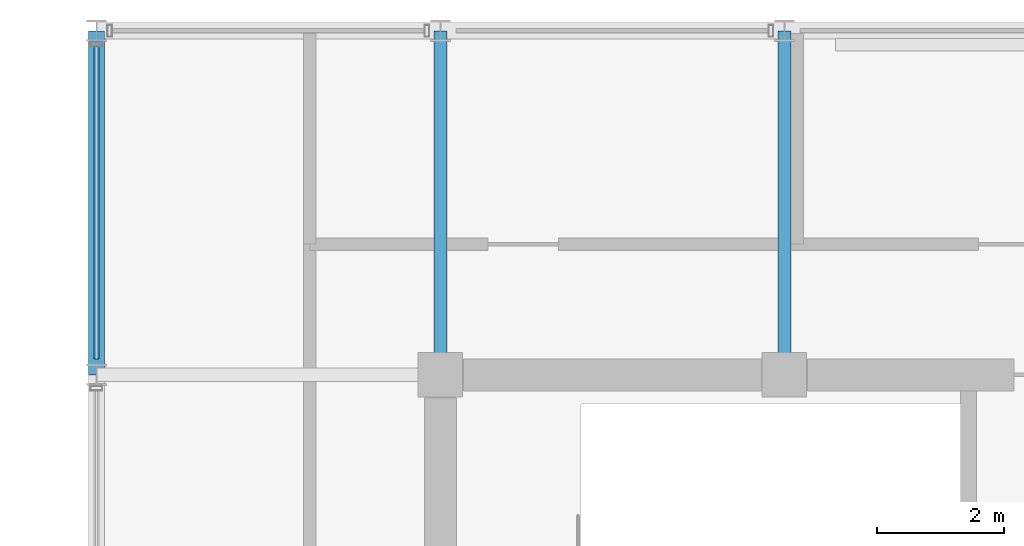
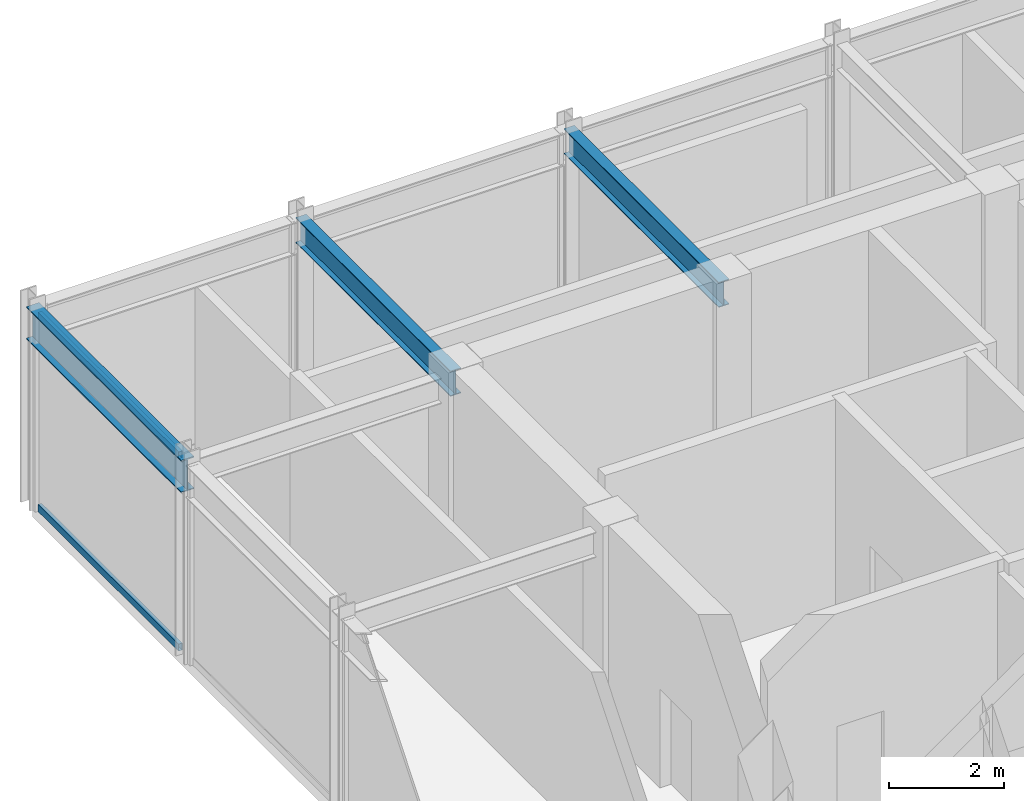
# One storey, part 8 of 18: 3 beams, 2 members, 1 element without a shape of its own.
"""IFC4 building model written with IfcOpenShell, lengths in metres."""

from ifc_helpers import new_model, si_unit, direction, frame, origin, origin_2d, place, context, subcontext, project, spatial, hollow_rectangle, i_section, extrude, material, layer, layer_set, material_profile, profile_set, type_object, element, aggregate, save


model = new_model("IFC4")

# Units and contexts
model_context = context("Model", 3, precision=1e-05, world=origin(), true_north=direction((0.0, 1.0)))
body_context = subcontext(model_context, "Body", "Model", "MODEL_VIEW")
ifc_project = project(units=[si_unit("LENGTHUNIT", "METRE"), si_unit("AREAUNIT", "SQUARE_METRE"), si_unit("VOLUMEUNIT", "CUBIC_METRE"), si_unit("PLANEANGLEUNIT", "RADIAN"), si_unit("MASSUNIT", "GRAM", prefix="KILO")], contexts=[model_context])

# Site, building, storey
site_placement = place(None, origin())
site = spatial("IfcSite", under=ifc_project, at=site_placement, CompositionType="ELEMENT")
building_placement = place(site_placement, origin())
building = spatial("IfcBuilding", under=site, at=building_placement, Name="Surkhivell Harbour Commons", CompositionType="ELEMENT")
storey_placement = place(building_placement, frame((0.0, 0.0, 360.0)))
storey = spatial("IfcBuildingStorey", under=building, at=storey_placement, Name="L93", CompositionType="ELEMENT", Elevation=360.0)

# Beams
ifc_material_1 = material(Name="Steel S355", Category="steel")
ifc_material_profile_1 = material_profile(ifc_material_1, i_section(OverallWidth=0.2099609375, OverallDepth=0.537109375, WebThickness=0.0107421875, FlangeThickness=0.017333984375, at=origin_2d()), Name="UB533x210x101")
ifc_profile_set_1 = profile_set([ifc_material_profile_1], Name="Steel S355")
beam_type_1 = type_object("IfcBeamType", Name="BM-GRD-533B", PredefinedType="BEAM", material=ifc_profile_set_1)
for number, where, z_axis, x_axis, name in (
    (1, (-10.800048828125, 10.800048828125, 3.971435546875), (0.0, 1.0, 0.0), (-1.0, 0.0, 0.0), "L93 Floor Girder (-10.8,10.8)"),
    (2, (-5.39990234375, 10.800048828125, 3.971435546875), (0.0, 1.0, 0.0), (-1.0, 0.0, 0.0), "L93 Floor Girder (-5.4,10.8)"),
):
    element("IfcBeam", number, at=place(storey_placement, frame(where, z_axis=z_axis, x_axis=x_axis)), inside=storey, type_object=beam_type_1, Name=name, PredefinedType="BEAM", context=body_context, shape_type="SweptSolid", body=[
        extrude(i_section(OverallWidth=0.2099609375, OverallDepth=0.537109375, WebThickness=0.0107421875, FlangeThickness=0.017333984375, at=origin_2d()), origin(), (0.0, 0.0, 1.0), 5.39990234375),
    ])
ifc_material_profile_2 = material_profile(ifc_material_1, i_section(OverallWidth=0.256103515625, OverallDepth=0.693115234375, WebThickness=0.014404296875, FlangeThickness=0.023681640625, at=origin_2d()), Name="UB686x254x170")
ifc_profile_set_2 = profile_set([ifc_material_profile_2], Name="Steel S355")
beam_type_2 = type_object("IfcBeamType", Name="BM-SPN-686", PredefinedType="SPANDREL", material=ifc_profile_set_2)
beam_placement = place(storey_placement, frame((-16.199951171875, 10.800048828125, 3.8935546875), z_axis=(0.0, 1.0, 0.0), x_axis=(-1.0, 0.0, 0.0)))
element("IfcBeam", 3, at=beam_placement, inside=storey, type_object=beam_type_2, Name="L93 Tube Spandrel (-16.2,10.8)", PredefinedType="SPANDREL", context=body_context, shape_type="SweptSolid", body=[
    extrude(i_section(OverallWidth=0.256103515625, OverallDepth=0.693115234375, WebThickness=0.014404296875, FlangeThickness=0.023681640625, at=origin_2d()), origin(), (0.0, 0.0, 1.0), 5.39990234375),
])

# Curtain wall, members
ifc_material_2 = material(Name="Anodised pale-metal aluminium and insulated glazing", Category="aluminium")
ifc_layer = layer(ifc_material_2, 0.22998046875)
ifc_layer_set = layer_set([ifc_layer], Name="Anodised pale-metal aluminium and insulated glazing")
curtain_wall_type = type_object("IfcCurtainWallType", Name="CW-SYS-CRN", PredefinedType="NOTDEFINED", material=ifc_layer_set)
curtain_wall_placement = place(storey_placement, origin())
curtain_wall = element("IfcCurtainWall", 4, at=curtain_wall_placement, inside=storey, type_object=curtain_wall_type, Name="L93 Curtain Wall CW-L93-C03S1", PredefinedType="NOTDEFINED")
ifc_material_3 = material(Name="Anodised pale-metal aluminium alloy 6063-T6", Category="aluminium")
ifc_material_profile_3 = material_profile(ifc_material_3, hollow_rectangle(XDim=0.074951171875, YDim=0.14990234375, WallThickness=0.00341796875, at=origin_2d()), Name="ALU-TRAN-75x150")
ifc_profile_set_3 = profile_set([ifc_material_profile_3], Name="Anodised pale-metal aluminium alloy 6063-T6")
member_type = type_object("IfcMemberType", Name="CWT-150", PredefinedType="USERDEFINED", material=ifc_profile_set_3)
member_1_placement = place(storey_placement, frame((-16.199951171875, 15.952880859375, 0.074951171875), z_axis=(0.0, -1.0, 0.0), x_axis=(1.0, 0.0, 0.0)))
member_1 = element("IfcMember", 5, at=member_1_placement, type_object=member_type, Name="CW-CRN transom 1.1", ObjectType="TRANSOM", PredefinedType="USERDEFINED", context=body_context, shape_type="SweptSolid", body=[
    extrude(hollow_rectangle(XDim=0.074951171875, YDim=0.14990234375, WallThickness=0.00341796875, at=origin_2d()), origin(), (0.0, 0.0, 1.0), 4.90576171875),
])
member_2_placement = place(storey_placement, frame((-16.199951171875, 15.952880859375, 4.1650390625), z_axis=(0.0, -1.0, 0.0), x_axis=(1.0, 0.0, 0.0)))
member_2 = element("IfcMember", 6, at=member_2_placement, type_object=member_type, Name="CW-CRN transom 1.2", ObjectType="TRANSOM", PredefinedType="USERDEFINED", context=body_context, shape_type="SweptSolid", body=[
    extrude(hollow_rectangle(XDim=0.074951171875, YDim=0.14990234375, WallThickness=0.00341796875, at=origin_2d()), origin(), (0.0, 0.0, 1.0), 4.90576171875),
])
aggregate(curtain_wall, [member_1, member_2])

save(model, "model.ifc")
